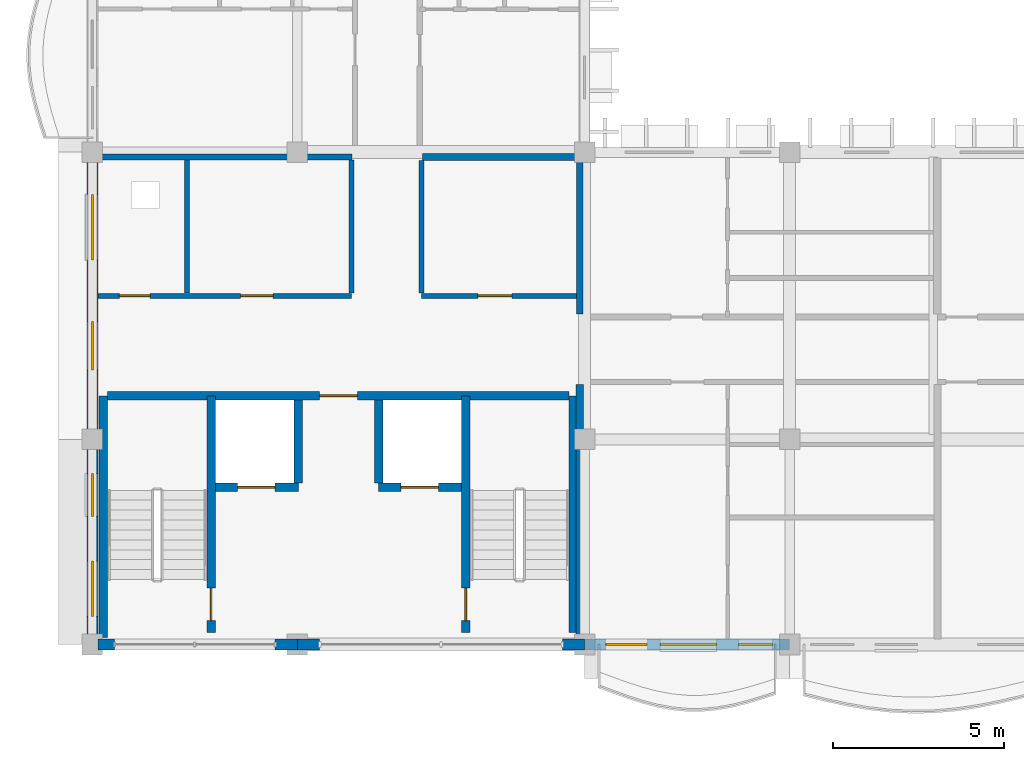
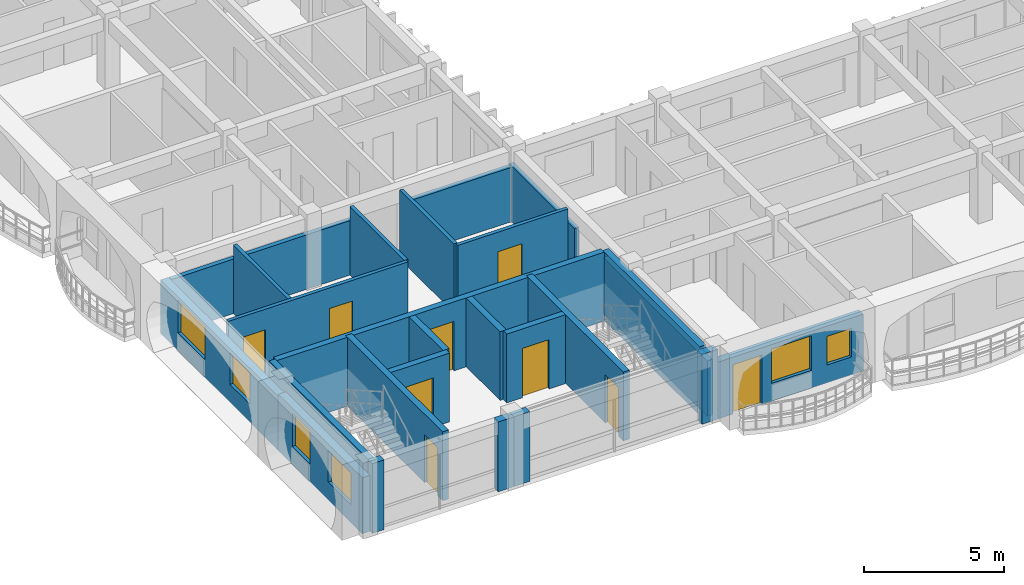
# One storey, part 14 of 70: 25 walls, 9 doors, 6 windows, 15 openings.
"""IFC4 building model written with IfcOpenShell, lengths in metres."""

from ifc_helpers import new_model, si_unit, direction, frame, frame_2d, origin, place, context, subcontext, project, spatial, rectangle, extrude, material, layer, layer_set, type_object, element, fill, save


model = new_model("IFC4")

# Units and contexts
model_context = context("Model", 3, precision=1e-05, world=origin(), true_north=direction((0.0, 1.0)))
body_context = subcontext(model_context, "Body", "Model", "MODEL_VIEW")
ifc_project = project(units=[si_unit("LENGTHUNIT", "METRE"), si_unit("AREAUNIT", "SQUARE_METRE"), si_unit("VOLUMEUNIT", "CUBIC_METRE"), si_unit("PLANEANGLEUNIT", "RADIAN"), si_unit("MASSUNIT", "GRAM", prefix="KILO"), si_unit("THERMODYNAMICTEMPERATUREUNIT", "KELVIN")], contexts=[model_context])

# Site, building, storey
site_placement = place(None, origin())
site = spatial("IfcSite", under=ifc_project, at=site_placement, CompositionType="ELEMENT")
building_placement = place(site_placement, origin())
building = spatial("IfcBuilding", under=site, at=building_placement, Name="Thalorik Housing Commons", CompositionType="ELEMENT")
storey_placement = place(building_placement, frame((0.0, 0.0, 14.699951171875)))
storey = spatial("IfcBuildingStorey", under=building, at=storey_placement, Name="L04", CompositionType="ELEMENT", Elevation=14.699951171875)

# Wall, opening, door
ifc_material_1 = material(Name="Concrete C40/50", Category="concrete")
ifc_layer_1 = layer(ifc_material_1, 0.25, Name="Concrete C40/50", Category="concrete")
ifc_layer_set_1 = layer_set([ifc_layer_1], Name="Concrete C40/50")
wall_type_1 = type_object("IfcWallType", Name="ARC-WAL-CORE-250", PredefinedType="SHEAR", material=ifc_layer_set_1)
wall_1_placement = place(storey_placement, frame((11.875, 8.75, 0.0), z_axis=(0.0, 0.0, 1.0), x_axis=(0.0, 1.0, 0.0)))
wall_1 = element("IfcWall", 1, at=wall_1_placement, inside=storey, type_object=wall_type_1, Name="L04 Core C Stair 1 Shear Wall", PredefinedType="SHEAR", context=body_context, shape_type="SweptSolid", body=[
    extrude(rectangle(XDim=6.925048828125, YDim=0.25, at=frame_2d((3.46240234375, 0.0))), origin(), (0.0, 0.0, 1.0), 3.0),
])
opening_1_placement = place(wall_1_placement, frame((0.35009765625, 0.0, 0.0)))
opening_1 = element("IfcOpeningElement", 2, at=opening_1_placement, cuts=wall_1, Name="Opening ID-0289", PredefinedType="OPENING", context=body_context, shape_type="SweptSolid", body=[
    extrude(rectangle(XDim=0.949951171875, YDim=2.10009765625, at=frame_2d((0.47509765625, 1.050048828125))), frame((0.0, 0.135009765625, 0.0), z_axis=(0.0, -1.0, 0.0), x_axis=(1.0, 0.0, 0.0)), (0.0, 0.0, 1.0), 0.27001953125),
])
ifc_material_2 = material(Name="Steel S355", Category="steel")
door_type_1 = type_object("IfcDoorType", Name="ARC-DR-FD60-950", OperationType="NOTDEFINED", PredefinedType="DOOR", material=ifc_material_2)
door_1_placement = place(opening_1_placement, origin())
door_1 = element("IfcDoor", 3, at=door_1_placement, inside=storey, type_object=door_type_1, Name="L04 Stair ST-C1 Fire Door", OperationType="SINGLE_SWING_RIGHT", OverallHeight=2.10009765625, OverallWidth=0.949951171875, PredefinedType="DOOR", context=body_context, shape_type="SweptSolid", body=[
    extrude(rectangle(XDim=0.949951171875, YDim=2.10009765625, at=frame_2d((0.47509765625, 1.050048828125))), frame((0.0, 0.02490234375, 0.0), z_axis=(0.0, -1.0, 0.0), x_axis=(1.0, 0.0, 0.0)), (0.0, 0.0, 1.0), 0.050048828125),
])
fill(opening_1, door_1)

# Walls
wall_2_placement = place(storey_placement, frame((8.72509765625, 8.60009765625, 0.0), z_axis=(0.0, 0.0, 1.0), x_axis=(0.0, 1.0, 0.0)))
element("IfcWall", 4, at=wall_2_placement, inside=storey, type_object=wall_type_1, Name="L04 Core C Stair 1 Outer Shear Wall", PredefinedType="SHEAR", context=body_context, shape_type="SweptSolid", body=[
    extrude(rectangle(XDim=7.074951171875, YDim=0.25, at=frame_2d((3.53759765625, 0.0))), origin(), (0.0, 0.0, 1.0), 3.0),
])
wall_3_placement = place(storey_placement, frame((22.47509765625, 8.75, 0.0), z_axis=(0.0, 0.0, 1.0), x_axis=(0.0, 1.0, 0.0)))
element("IfcWall", 5, at=wall_3_placement, inside=storey, type_object=wall_type_1, Name="L04 Core C Stair 2 Outer Shear Wall", PredefinedType="SHEAR", context=body_context, shape_type="SweptSolid", body=[
    extrude(rectangle(XDim=6.925048828125, YDim=0.25, at=frame_2d((3.46240234375, 0.0))), origin(), (0.0, 0.0, 1.0), 3.0),
])

# Wall, opening, door
wall_4_placement = place(storey_placement, frame((19.324951171875, 8.75, 0.0), z_axis=(0.0, 0.0, 1.0), x_axis=(0.0, 1.0, 0.0)))
wall_4 = element("IfcWall", 6, at=wall_4_placement, inside=storey, type_object=wall_type_1, Name="L04 Core C Stair 2 Shear Wall", PredefinedType="SHEAR", context=body_context, shape_type="SweptSolid", body=[
    extrude(rectangle(XDim=6.925048828125, YDim=0.25, at=frame_2d((3.46240234375, 0.0))), origin(), (0.0, 0.0, 1.0), 3.0),
])
opening_2_placement = place(wall_4_placement, frame((0.35009765625, 0.0, 0.0)))
opening_2 = element("IfcOpeningElement", 7, at=opening_2_placement, cuts=wall_4, Name="Opening ID-0290", PredefinedType="OPENING", context=body_context, shape_type="SweptSolid", body=[
    extrude(rectangle(XDim=0.949951171875, YDim=2.10009765625, at=frame_2d((0.47509765625, 1.050048828125))), frame((0.0, 0.135009765625, 0.0), z_axis=(0.0, -1.0, 0.0), x_axis=(1.0, 0.0, 0.0)), (0.0, 0.0, 1.0), 0.27001953125),
])
door_2_placement = place(opening_2_placement, origin())
door_2 = element("IfcDoor", 8, at=door_2_placement, inside=storey, type_object=door_type_1, Name="L04 Stair ST-C2 Fire Door", OperationType="SINGLE_SWING_LEFT", OverallHeight=2.10009765625, OverallWidth=0.949951171875, PredefinedType="DOOR", context=body_context, shape_type="SweptSolid", body=[
    extrude(rectangle(XDim=0.949951171875, YDim=2.10009765625, at=frame_2d((0.47509765625, 1.050048828125))), frame((0.0, 0.02490234375, 0.0), z_axis=(0.0, -1.0, 0.0), x_axis=(1.0, 0.0, 0.0)), (0.0, 0.0, 1.0), 0.050048828125),
])
fill(opening_2, door_2)

wall_5_placement = place(storey_placement, frame((12.0, 13.0, 0.0), z_axis=(0.0, 0.0, 1.0), x_axis=(1.0, 0.0, 0.0)))
wall_5 = element("IfcWall", 9, at=wall_5_placement, inside=storey, type_object=wall_type_1, Name="L04 Lift LF-C1 Front Shaft Wall", PredefinedType="SHEAR", context=body_context, shape_type="SweptSolid", body=[
    extrude(rectangle(XDim=2.425048828125, YDim=0.25, at=frame_2d((1.21240234375, 0.0))), origin(), (0.0, 0.0, 1.0), 3.0),
])
opening_3_placement = place(wall_5_placement, frame((0.64990234375, 0.0, 0.0)))
opening_3 = element("IfcOpeningElement", 10, at=opening_3_placement, cuts=wall_5, Name="Opening LD-LF-C1-L04", PredefinedType="OPENING", context=body_context, shape_type="SweptSolid", body=[
    extrude(rectangle(XDim=1.10009765625, YDim=2.14990234375, at=frame_2d((0.550048828125, 1.074951171875))), frame((0.0, 0.135009765625, 0.0), z_axis=(0.0, -1.0, 0.0), x_axis=(1.0, 0.0, 0.0)), (0.0, 0.0, 1.0), 0.27001953125),
])
door_type_2 = type_object("IfcDoorType", Name="ARC-DR-LIFT-1100", OperationType="NOTDEFINED", PredefinedType="DOOR", material=ifc_material_2)
door_3_placement = place(opening_3_placement, origin())
door_3 = element("IfcDoor", 11, at=door_3_placement, inside=storey, type_object=door_type_2, Name="L04 Lift LF-C1 Landing Door", OperationType="SLIDING_TO_LEFT", OverallHeight=2.14990234375, OverallWidth=1.10009765625, PredefinedType="DOOR", context=body_context, shape_type="SweptSolid", body=[
    extrude(rectangle(XDim=1.10009765625, YDim=2.14990234375, at=frame_2d((0.550048828125, 1.074951171875))), frame((0.0, 0.02490234375, 0.0), z_axis=(0.0, -1.0, 0.0), x_axis=(1.0, 0.0, 0.0)), (0.0, 0.0, 1.0), 0.050048828125),
])
fill(opening_3, door_3)

wall_6_placement = place(storey_placement, frame((16.77490234375, 13.0, 0.0), z_axis=(0.0, 0.0, 1.0), x_axis=(1.0, 0.0, 0.0)))
wall_6 = element("IfcWall", 12, at=wall_6_placement, inside=storey, type_object=wall_type_1, Name="L04 Lift LP-C2 Front Shaft Wall", PredefinedType="SHEAR", context=body_context, shape_type="SweptSolid", body=[
    extrude(rectangle(XDim=2.425048828125, YDim=0.25, at=frame_2d((1.21240234375, 0.0))), origin(), (0.0, 0.0, 1.0), 3.0),
])
opening_4_placement = place(wall_6_placement, frame((0.64990234375, 0.0, 0.0)))
opening_4 = element("IfcOpeningElement", 13, at=opening_4_placement, cuts=wall_6, Name="Opening LD-LP-C2-L04", PredefinedType="OPENING", context=body_context, shape_type="SweptSolid", body=[
    extrude(rectangle(XDim=1.10009765625, YDim=2.14990234375, at=frame_2d((0.550048828125, 1.074951171875))), frame((0.0, 0.135009765625, 0.0), z_axis=(0.0, -1.0, 0.0), x_axis=(1.0, 0.0, 0.0)), (0.0, 0.0, 1.0), 0.27001953125),
])
door_4_placement = place(opening_4_placement, origin())
door_4 = element("IfcDoor", 14, at=door_4_placement, inside=storey, type_object=door_type_2, Name="L04 Lift LP-C2 Landing Door", OperationType="SLIDING_TO_LEFT", OverallHeight=2.14990234375, OverallWidth=1.10009765625, PredefinedType="DOOR", context=body_context, shape_type="SweptSolid", body=[
    extrude(rectangle(XDim=1.10009765625, YDim=2.14990234375, at=frame_2d((0.550048828125, 1.074951171875))), frame((0.0, 0.02490234375, 0.0), z_axis=(0.0, -1.0, 0.0), x_axis=(1.0, 0.0, 0.0)), (0.0, 0.0, 1.0), 0.050048828125),
])
fill(opening_4, door_4)

# Walls
for number, where, z_axis, x_axis, name in (
    (15, (14.425048828125, 13.125, 0.0), (0.0, 0.0, 1.0), (0.0, 1.0, 0.0), "L04 Lift 1 Cheek Wall"),
    (16, (16.77490234375, 13.125, 0.0), (0.0, 0.0, 1.0), (0.0, 1.0, 0.0), "L04 Lift 2 Cheek Wall"),
):
    element("IfcWall", number, at=place(storey_placement, frame(where, z_axis=z_axis, x_axis=x_axis)), inside=storey, type_object=wall_type_1, Name=name, PredefinedType="SHEAR", context=body_context, shape_type="SweptSolid", body=[
        extrude(rectangle(XDim=2.425048828125, YDim=0.25, at=frame_2d((1.21240234375, 0.0))), origin(), (0.0, 0.0, 1.0), 3.0),
    ])

# Wall, opening, door
wall_7_placement = place(storey_placement, frame((8.85009765625, 15.675048828125, 0.0), z_axis=(0.0, 0.0, 1.0), x_axis=(1.0, 0.0, 0.0)))
wall_7 = element("IfcWall", 17, at=wall_7_placement, inside=storey, type_object=wall_type_1, Name="L04 Core C Spine Shear Wall", PredefinedType="SHEAR", context=body_context, shape_type="SweptSolid", body=[
    extrude(rectangle(XDim=13.5, YDim=0.25, at=frame_2d((6.75, 0.0))), origin(), (0.0, 0.0, 1.0), 3.0),
])
opening_5_placement = place(wall_7_placement, frame((6.199951171875, 0.0, 0.0)))
opening_5 = element("IfcOpeningElement", 18, at=opening_5_placement, cuts=wall_7, Name="Opening ID-0293", PredefinedType="OPENING", context=body_context, shape_type="SweptSolid", body=[
    extrude(rectangle(XDim=1.10009765625, YDim=2.14990234375, at=frame_2d((0.550048828125, 1.074951171875))), frame((0.0, 0.135009765625, 0.0), z_axis=(0.0, -1.0, 0.0), x_axis=(1.0, 0.0, 0.0)), (0.0, 0.0, 1.0), 0.27001953125),
])
door_type_3 = type_object("IfcDoorType", Name="ARC-DR-FD60-1100", OperationType="NOTDEFINED", PredefinedType="DOOR", material=ifc_material_2)
door_5_placement = place(opening_5_placement, origin())
door_5 = element("IfcDoor", 19, at=door_5_placement, inside=storey, type_object=door_type_3, Name="L04 Core C Lobby Fire Door", OperationType="SINGLE_SWING_RIGHT", OverallHeight=2.14990234375, OverallWidth=1.10009765625, PredefinedType="DOOR", context=body_context, shape_type="SweptSolid", body=[
    extrude(rectangle(XDim=1.10009765625, YDim=2.14990234375, at=frame_2d((0.550048828125, 1.074951171875))), frame((0.0, 0.02490234375, 0.0), z_axis=(0.0, -1.0, 0.0), x_axis=(1.0, 0.0, 0.0)), (0.0, 0.0, 1.0), 0.050048828125),
])
fill(opening_5, door_5)

# Wall, openings, windows
ifc_material_3 = material(Name="White precast concrete C40/50", Category="concrete")
ifc_layer_2 = layer(ifc_material_3, 0.320068359375, Name="White precast concrete C40/50", Category="concrete")
ifc_layer_set_2 = layer_set([ifc_layer_2], Name="White precast concrete C40/50")
wall_type_2 = type_object("IfcWallType", Name="ARC-WAL-EXT-320", PredefinedType="STANDARD", material=ifc_layer_set_2)
wall_8_placement = place(storey_placement, frame((8.39990234375, 22.800048828125, 0.0), z_axis=(0.0, 0.0, 1.0), x_axis=(0.0, -1.0, 0.0)))
wall_8 = element("IfcWall", 20, at=wall_8_placement, inside=storey, type_object=wall_type_2, Name="L04 Exterior Wall WAL-EXT-L04-C-0945", PredefinedType="STANDARD", context=body_context, shape_type="SweptSolid", body=[
    extrude(rectangle(XDim=8.400146484375, YDim=0.320068359375, at=frame_2d((4.2001953125, 0.0))), origin(), (0.0, 0.0, 1.0), 2.344970703125),
])
opening_6_placement = place(wall_8_placement, frame((1.235107421875, 0.0, 0.780029296875)))
opening_6 = element("IfcOpeningElement", 21, at=opening_6_placement, cuts=wall_8, Name="Opening W-60", PredefinedType="OPENING", context=body_context, shape_type="SweptSolid", body=[
    extrude(rectangle(XDim=1.919921875, YDim=1.43994140625, at=frame_2d((0.9599609375, 0.719970703125))), frame((0.0, 0.169921875, 0.0), z_axis=(0.0, -1.0, 0.0), x_axis=(1.0, 0.0, 0.0)), (0.0, 0.0, 1.0), 0.340087890625),
])
opening_7_placement = place(wall_8_placement, frame((4.952392578125, 0.0, 0.780029296875)))
opening_7 = element("IfcOpeningElement", 22, at=opening_7_placement, cuts=wall_8, Name="Opening W-50", PredefinedType="OPENING", context=body_context, shape_type="SweptSolid", body=[
    extrude(rectangle(XDim=1.419921875, YDim=1.3798828125, at=frame_2d((0.7099609375, 0.68994140625))), frame((0.0, 0.169921875, 0.0), z_axis=(0.0, -1.0, 0.0), x_axis=(1.0, 0.0, 0.0)), (0.0, 0.0, 1.0), 0.340087890625),
])
ifc_material_4 = material(Name="Anodised aluminium and solar-control low-E glass", Category="aluminium")
window_type_1 = type_object("IfcWindowType", Name="ARC-WIN-50", PartitioningType="SINGLE_PANEL", PredefinedType="WINDOW", material=ifc_material_4)
window_1_placement = place(opening_7_placement, origin())
window_1 = element("IfcWindow", 23, at=window_1_placement, inside=storey, type_object=window_type_1, Name="L04 Facade Window 1748", OverallHeight=1.3798828125, OverallWidth=1.419921875, PartitioningType="SINGLE_PANEL", PredefinedType="WINDOW", context=body_context, shape_type="SweptSolid", body=[
    extrude(rectangle(XDim=1.419921875, YDim=1.3798828125, at=frame_2d((0.7099609375, 0.68994140625))), frame((0.0, 0.030029296875, 0.0), z_axis=(0.0, -1.0, 0.0), x_axis=(1.0, 0.0, 0.0)), (0.0, 0.0, 1.0), 0.06005859375),
])
fill(opening_7, window_1)
window_type_2 = type_object("IfcWindowType", Name="ARC-WIN-60", PartitioningType="DOUBLE_PANEL_VERTICAL", PredefinedType="WINDOW", material=ifc_material_4)
window_2_placement = place(opening_6_placement, origin())
window_2 = element("IfcWindow", 24, at=window_2_placement, inside=storey, type_object=window_type_2, Name="L04 Facade Window 1747", OverallHeight=1.43994140625, OverallWidth=1.919921875, PartitioningType="DOUBLE_PANEL_VERTICAL", PredefinedType="WINDOW", context=body_context, shape_type="SweptSolid", body=[
    extrude(rectangle(XDim=1.919921875, YDim=1.43994140625, at=frame_2d((0.9599609375, 0.719970703125))), frame((0.0, 0.030029296875, 0.0), z_axis=(0.0, -1.0, 0.0), x_axis=(1.0, 0.0, 0.0)), (0.0, 0.0, 1.0), 0.06005859375),
])
fill(opening_6, window_2)

wall_9_placement = place(storey_placement, frame((8.39990234375, 14.39990234375, 0.0), z_axis=(0.0, 0.0, 1.0), x_axis=(0.0, -1.0, 0.0)))
wall_9 = element("IfcWall", 25, at=wall_9_placement, inside=storey, type_object=wall_type_2, Name="L04 Exterior Wall WAL-EXT-L04-C-0946", PredefinedType="STANDARD", context=body_context, shape_type="SweptSolid", body=[
    extrude(rectangle(XDim=6.0, YDim=0.320068359375, at=frame_2d((3.0, 0.0))), origin(), (0.0, 0.0, 1.0), 2.445068359375),
])
opening_8_placement = place(wall_9_placement, frame((1.0048828125, 0.0, 0.780029296875)))
opening_8 = element("IfcOpeningElement", 26, at=opening_8_placement, cuts=wall_9, Name="Opening W-47", PredefinedType="OPENING", context=body_context, shape_type="SweptSolid", body=[
    extrude(rectangle(XDim=1.25, YDim=1.449951171875, at=frame_2d((0.625, 0.72509765625))), frame((0.0, 0.169921875, 0.0), z_axis=(0.0, -1.0, 0.0), x_axis=(1.0, 0.0, 0.0)), (0.0, 0.0, 1.0), 0.340087890625),
])
opening_9_placement = place(wall_9_placement, frame((3.56005859375, 0.0, 0.780029296875)))
opening_9 = element("IfcOpeningElement", 27, at=opening_9_placement, cuts=wall_9, Name="Opening W-54", PredefinedType="OPENING", context=body_context, shape_type="SweptSolid", body=[
    extrude(rectangle(XDim=1.6201171875, YDim=1.3798828125, at=frame_2d((0.81005859375, 0.68994140625))), frame((0.0, 0.169921875, 0.0), z_axis=(0.0, -1.0, 0.0), x_axis=(1.0, 0.0, 0.0)), (0.0, 0.0, 1.0), 0.340087890625),
])
window_type_3 = type_object("IfcWindowType", Name="ARC-WIN-47", PartitioningType="SINGLE_PANEL", PredefinedType="WINDOW", material=ifc_material_4)
window_3_placement = place(opening_8_placement, origin())
window_3 = element("IfcWindow", 28, at=window_3_placement, inside=storey, type_object=window_type_3, Name="L04 Facade Window 1749", OverallHeight=1.449951171875, OverallWidth=1.25, PartitioningType="SINGLE_PANEL", PredefinedType="WINDOW", context=body_context, shape_type="SweptSolid", body=[
    extrude(rectangle(XDim=1.25, YDim=1.449951171875, at=frame_2d((0.625, 0.72509765625))), frame((0.0, 0.030029296875, 0.0), z_axis=(0.0, -1.0, 0.0), x_axis=(1.0, 0.0, 0.0)), (0.0, 0.0, 1.0), 0.06005859375),
])
fill(opening_8, window_3)
window_type_4 = type_object("IfcWindowType", Name="ARC-WIN-54", PartitioningType="DOUBLE_PANEL_VERTICAL", PredefinedType="WINDOW", material=ifc_material_4)
window_4_placement = place(opening_9_placement, origin())
window_4 = element("IfcWindow", 29, at=window_4_placement, inside=storey, type_object=window_type_4, Name="L04 Facade Window 1750", OverallHeight=1.3798828125, OverallWidth=1.6201171875, PartitioningType="DOUBLE_PANEL_VERTICAL", PredefinedType="WINDOW", context=body_context, shape_type="SweptSolid", body=[
    extrude(rectangle(XDim=1.6201171875, YDim=1.3798828125, at=frame_2d((0.81005859375, 0.68994140625))), frame((0.0, 0.030029296875, 0.0), z_axis=(0.0, -1.0, 0.0), x_axis=(1.0, 0.0, 0.0)), (0.0, 0.0, 1.0), 0.06005859375),
])
fill(opening_9, window_4)

# Walls
wall_10_placement = place(storey_placement, frame((8.56201171875, 8.39990234375, 0.0), z_axis=(0.0, 0.0, 1.0), x_axis=(1.0, 0.0, 0.0)))
element("IfcWall", 30, at=wall_10_placement, inside=storey, type_object=wall_type_2, Name="L04 Exterior Wall WAL-PIERL-L04-C-0947", PredefinedType="STANDARD", context=body_context, shape_type="SweptSolid", body=[
    extrude(rectangle(XDim=0.488037109375, YDim=0.320068359375, at=frame_2d((0.244140625, 0.0))), origin(), (0.0, 0.0, 1.0), 3.0400390625),
])
wall_11_placement = place(storey_placement, frame((13.75, 8.39990234375, 0.0), z_axis=(0.0, 0.0, 1.0), x_axis=(1.0, 0.0, 0.0)))
element("IfcWall", 31, at=wall_11_placement, inside=storey, type_object=wall_type_2, Name="L04 Exterior Wall WAL-PIERR-L04-C-0947", PredefinedType="STANDARD", context=body_context, shape_type="SweptSolid", body=[
    extrude(rectangle(XDim=0.64990234375, YDim=0.320068359375, at=frame_2d((0.324951171875, 0.0))), origin(), (0.0, 0.0, 1.0), 3.0400390625),
])
for number, where, z_axis, x_axis, name in (
    (32, (14.39990234375, 8.39990234375, 0.0), (0.0, 0.0, 1.0), (1.0, 0.0, 0.0), "L04 Exterior Wall WAL-PIERL-L04-C-0948"),
    (33, (22.14990234375, 8.39990234375, 0.0), (0.0, 0.0, 1.0), (1.0, 0.0, 0.0), "L04 Exterior Wall WAL-PIERR-L04-C-0948"),
):
    element("IfcWall", number, at=place(storey_placement, frame(where, z_axis=z_axis, x_axis=x_axis)), inside=storey, type_object=wall_type_2, Name=name, PredefinedType="STANDARD", context=body_context, shape_type="SweptSolid", body=[
        extrude(rectangle(XDim=0.650146484375, YDim=0.320068359375, at=frame_2d((0.3251953125, 0.0))), origin(), (0.0, 0.0, 1.0), 3.0400390625),
    ])

# Wall, openings, door, windows
wall_12_placement = place(storey_placement, frame((22.800048828125, 8.39990234375, 0.0), z_axis=(0.0, 0.0, 1.0), x_axis=(1.0, 0.0, 0.0)))
wall_12 = element("IfcWall", 34, at=wall_12_placement, inside=storey, type_object=wall_type_2, Name="L04 Exterior Wall WAL-EXT-L04-C-0949", PredefinedType="STANDARD", context=body_context, shape_type="SweptSolid", body=[
    extrude(rectangle(XDim=6.0, YDim=0.320068359375, at=frame_2d((3.0, 0.0))), origin(), (0.0, 0.0, 1.0), 2.47509765625),
])
opening_10_placement = place(wall_12_placement, frame((0.6201171875, 0.0, 0.0)))
opening_10 = element("IfcOpeningElement", 35, at=opening_10_placement, cuts=wall_12, Name="Opening ED-0313", PredefinedType="OPENING", context=body_context, shape_type="SweptSolid", body=[
    extrude(rectangle(XDim=1.199951171875, YDim=2.14990234375, at=frame_2d((0.60009765625, 1.074951171875))), frame((0.0, 0.169921875, 0.0), z_axis=(0.0, -1.0, 0.0), x_axis=(1.0, 0.0, 0.0)), (0.0, 0.0, 1.0), 0.340087890625),
])
opening_11_placement = place(wall_12_placement, frame((2.205078125, 0.0, 0.780029296875)))
opening_11 = element("IfcOpeningElement", 36, at=opening_11_placement, cuts=wall_12, Name="Opening W-15", PredefinedType="OPENING", context=body_context, shape_type="SweptSolid", body=[
    extrude(rectangle(XDim=1.64990234375, YDim=1.5, at=frame_2d((0.824951171875, 0.75))), frame((0.0, 0.169921875, 0.0), z_axis=(0.0, -1.0, 0.0), x_axis=(1.0, 0.0, 0.0)), (0.0, 0.0, 1.0), 0.340087890625),
])
opening_12_placement = place(wall_12_placement, frame((4.5, 0.0, 0.780029296875)))
opening_12 = element("IfcOpeningElement", 37, at=opening_12_placement, cuts=wall_12, Name="Opening W-02", PredefinedType="OPENING", context=body_context, shape_type="SweptSolid", body=[
    extrude(rectangle(XDim=1.0, YDim=1.25, at=frame_2d((0.5, 0.625))), frame((0.0, 0.169921875, 0.0), z_axis=(0.0, -1.0, 0.0), x_axis=(1.0, 0.0, 0.0)), (0.0, 0.0, 1.0), 0.340087890625),
])
ifc_material_5 = material(Name="Anodised aluminium and laminated safety glass", Category="aluminium")
door_type_4 = type_object("IfcDoorType", Name="ARC-DR-BAL-1200", OperationType="NOTDEFINED", PredefinedType="DOOR", material=ifc_material_5)
door_6_placement = place(opening_10_placement, frame((1.199951171875, 0.0, 0.0), z_axis=(0.0, 0.0, 1.0), x_axis=(-1.0, 0.0, 0.0)))
door_6 = element("IfcDoor", 38, at=door_6_placement, inside=storey, type_object=door_type_4, Name="L04 Block C Balcony Glazed Door", OperationType="SINGLE_SWING_RIGHT", OverallHeight=2.14990234375, OverallWidth=1.199951171875, PredefinedType="DOOR", context=body_context, shape_type="SweptSolid", body=[
    extrude(rectangle(XDim=1.199951171875, YDim=2.14990234375, at=frame_2d((0.60009765625, 1.074951171875))), frame((0.0, 0.02490234375, 0.0), z_axis=(0.0, -1.0, 0.0), x_axis=(1.0, 0.0, 0.0)), (0.0, 0.0, 1.0), 0.050048828125),
])
fill(opening_10, door_6)
window_type_5 = type_object("IfcWindowType", Name="ARC-WIN-02", PartitioningType="SINGLE_PANEL", PredefinedType="WINDOW", material=ifc_material_4)
window_5_placement = place(opening_12_placement, origin())
window_5 = element("IfcWindow", 39, at=window_5_placement, inside=storey, type_object=window_type_5, Name="L04 Facade Window 1752", OverallHeight=1.25, OverallWidth=1.0, PartitioningType="SINGLE_PANEL", PredefinedType="WINDOW", context=body_context, shape_type="SweptSolid", body=[
    extrude(rectangle(XDim=1.0, YDim=1.25, at=frame_2d((0.5, 0.625))), frame((0.0, 0.030029296875, 0.0), z_axis=(0.0, -1.0, 0.0), x_axis=(1.0, 0.0, 0.0)), (0.0, 0.0, 1.0), 0.06005859375),
])
fill(opening_12, window_5)
window_type_6 = type_object("IfcWindowType", Name="ARC-WIN-15", PartitioningType="DOUBLE_PANEL_VERTICAL", PredefinedType="WINDOW", material=ifc_material_4)
window_6_placement = place(opening_11_placement, origin())
window_6 = element("IfcWindow", 40, at=window_6_placement, inside=storey, type_object=window_type_6, Name="L04 Facade Window 1751", OverallHeight=1.5, OverallWidth=1.64990234375, PartitioningType="DOUBLE_PANEL_VERTICAL", PredefinedType="WINDOW", context=body_context, shape_type="SweptSolid", body=[
    extrude(rectangle(XDim=1.64990234375, YDim=1.5, at=frame_2d((0.824951171875, 0.75))), frame((0.0, 0.030029296875, 0.0), z_axis=(0.0, -1.0, 0.0), x_axis=(1.0, 0.0, 0.0)), (0.0, 0.0, 1.0), 0.06005859375),
])
fill(opening_11, window_6)

# Walls
ifc_material_6 = material(Name="Ceramic masonry partition wall", Category="masonry")
ifc_layer_3 = layer(ifc_material_6, 0.14794921875, Name="Ceramic masonry partition wall", Category="masonry")
ifc_layer_set_3 = layer_set([ifc_layer_3], Name="Ceramic masonry partition wall")
wall_type_3 = type_object("IfcWallType", Name="ARC-WAL-PART-150", PredefinedType="PARTITIONING", material=ifc_layer_set_3)
for number, where, z_axis, x_axis, name in (
    (41, (11.175048828125, 18.676025390625, 0.0), (0.0, 0.0, 1.0), (0.0, 1.0, 0.0), "Riser Wall"),
    (42, (15.97509765625, 18.676025390625, 0.0), (0.0, 0.0, 1.0), (0.0, 1.0, 0.0), "Core Stem West Cheek Wall"),
):
    element("IfcWall", number, at=place(storey_placement, frame(where, z_axis=z_axis, x_axis=x_axis)), inside=storey, type_object=wall_type_3, Name=name, PredefinedType="PARTITIONING", context=body_context, shape_type="SweptSolid", body=[
        extrude(rectangle(XDim=3.889404296875, YDim=0.14794921875, at=frame_2d((1.94482421875, 0.0))), origin(), (0.0, 0.0, 1.0), 3.0),
    ])
wall_13_placement = place(storey_placement, frame((18.02490234375, 18.676025390625, 0.0), z_axis=(0.0, 0.0, 1.0), x_axis=(0.0, 1.0, 0.0)))
element("IfcWall", 43, at=wall_13_placement, inside=storey, type_object=wall_type_3, Name="Core Stem East Cheek Wall", PredefinedType="PARTITIONING", context=body_context, shape_type="SweptSolid", body=[
    extrude(rectangle(XDim=3.882080078125, YDim=0.14794921875, at=frame_2d((1.94091796875, 0.0))), origin(), (0.0, 0.0, 1.0), 3.0),
])

# Wall, openings, doors
wall_14_placement = place(storey_placement, frame((8.56201171875, 18.60009765625, 0.0), z_axis=(0.0, 0.0, 1.0), x_axis=(1.0, 0.0, 0.0)))
wall_14 = element("IfcWall", 44, at=wall_14_placement, inside=storey, type_object=wall_type_3, Name="L04 Core C West Corridor Partition", PredefinedType="PARTITIONING", context=body_context, shape_type="SweptSolid", body=[
    extrude(rectangle(XDim=7.4130859375, YDim=0.14794921875, at=frame_2d((3.70654296875, 0.0))), origin(), (0.0, 0.0, 1.0), 3.0),
])
opening_13_placement = place(wall_14_placement, frame((0.6279296875, 0.0, 0.0)))
opening_13 = element("IfcOpeningElement", 45, at=opening_13_placement, cuts=wall_14, Name="Opening ID-0294", PredefinedType="OPENING", context=body_context, shape_type="SweptSolid", body=[
    extrude(rectangle(XDim=0.89990234375, YDim=2.10009765625, at=frame_2d((0.449951171875, 1.050048828125))), frame((0.0, 0.083984375, 0.0), z_axis=(0.0, -1.0, 0.0), x_axis=(1.0, 0.0, 0.0)), (0.0, 0.0, 1.0), 0.16796875),
])
opening_14_placement = place(wall_14_placement, frame((4.177978515625, 0.0, 0.0)))
opening_14 = element("IfcOpeningElement", 46, at=opening_14_placement, cuts=wall_14, Name="Opening ID-0295", PredefinedType="OPENING", context=body_context, shape_type="SweptSolid", body=[
    extrude(rectangle(XDim=0.949951171875, YDim=2.10009765625, at=frame_2d((0.47509765625, 1.050048828125))), frame((0.0, 0.083984375, 0.0), z_axis=(0.0, -1.0, 0.0), x_axis=(1.0, 0.0, 0.0)), (0.0, 0.0, 1.0), 0.16796875),
])
door_type_5 = type_object("IfcDoorType", Name="ARC-DR-FD60-900", OperationType="NOTDEFINED", PredefinedType="DOOR", material=ifc_material_2)
door_7_placement = place(opening_13_placement, origin())
door_7 = element("IfcDoor", 47, at=door_7_placement, inside=storey, type_object=door_type_5, Name="Electrical Riser Door", OperationType="SINGLE_SWING_LEFT", OverallHeight=2.10009765625, OverallWidth=0.89990234375, PredefinedType="DOOR", context=body_context, shape_type="SweptSolid", body=[
    extrude(rectangle(XDim=0.89990234375, YDim=2.10009765625, at=frame_2d((0.449951171875, 1.050048828125))), frame((0.0, 0.02490234375, 0.0), z_axis=(0.0, -1.0, 0.0), x_axis=(1.0, 0.0, 0.0)), (0.0, 0.0, 1.0), 0.050048828125),
])
fill(opening_13, door_7)
ifc_material_7 = material(Name="Engineered oak timber", Category="wood")
door_type_6 = type_object("IfcDoorType", Name="ARC-DR-INT-950", OperationType="NOTDEFINED", PredefinedType="DOOR", material=ifc_material_7)
door_8_placement = place(opening_14_placement, origin())
door_8 = element("IfcDoor", 48, at=door_8_placement, inside=storey, type_object=door_type_6, Name="Accessible Bathroom Door", OperationType="SINGLE_SWING_RIGHT", OverallHeight=2.10009765625, OverallWidth=0.949951171875, PredefinedType="DOOR", context=body_context, shape_type="SweptSolid", body=[
    extrude(rectangle(XDim=0.949951171875, YDim=2.10009765625, at=frame_2d((0.47509765625, 1.050048828125))), frame((0.0, 0.02490234375, 0.0), z_axis=(0.0, -1.0, 0.0), x_axis=(1.0, 0.0, 0.0)), (0.0, 0.0, 1.0), 0.050048828125),
])
fill(opening_14, door_8)

# Wall, opening, door
wall_15_placement = place(storey_placement, frame((18.02490234375, 18.60009765625, 0.0), z_axis=(0.0, 0.0, 1.0), x_axis=(1.0, 0.0, 0.0)))
wall_15 = element("IfcWall", 49, at=wall_15_placement, inside=storey, type_object=wall_type_3, Name="L04 Core C East Corridor Partition", PredefinedType="PARTITIONING", context=body_context, shape_type="SweptSolid", body=[
    extrude(rectangle(XDim=4.54052734375, YDim=0.14794921875, at=frame_2d((2.270263671875, 0.0))), origin(), (0.0, 0.0, 1.0), 3.0),
])
opening_15_placement = place(wall_15_placement, frame((1.64990234375, 0.0, 0.0)))
opening_15 = element("IfcOpeningElement", 50, at=opening_15_placement, cuts=wall_15, Name="Opening ID-0296", PredefinedType="OPENING", context=body_context, shape_type="SweptSolid", body=[
    extrude(rectangle(XDim=1.0, YDim=2.14990234375, at=frame_2d((0.5, 1.074951171875))), frame((0.0, 0.083984375, 0.0), z_axis=(0.0, -1.0, 0.0), x_axis=(1.0, 0.0, 0.0)), (0.0, 0.0, 1.0), 0.16796875),
])
door_type_7 = type_object("IfcDoorType", Name="ARC-DR-FD60-1000", OperationType="NOTDEFINED", PredefinedType="DOOR", material=ifc_material_2)
door_9_placement = place(opening_15_placement, origin())
door_9 = element("IfcDoor", 51, at=door_9_placement, inside=storey, type_object=door_type_7, Name="Core Hub Room Door", OperationType="SINGLE_SWING_LEFT", OverallHeight=2.14990234375, OverallWidth=1.0, PredefinedType="DOOR", context=body_context, shape_type="SweptSolid", body=[
    extrude(rectangle(XDim=1.0, YDim=2.14990234375, at=frame_2d((0.5, 1.074951171875))), frame((0.0, 0.02490234375, 0.0), z_axis=(0.0, -1.0, 0.0), x_axis=(1.0, 0.0, 0.0)), (0.0, 0.0, 1.0), 0.050048828125),
])
fill(opening_15, door_9)

# Walls
ifc_material_8 = material(Name="Masonry acoustic blockwork wall", Category="masonry")
ifc_layer_4 = layer(ifc_material_8, 0.18505859375, Name="Masonry acoustic blockwork wall", Category="masonry")
ifc_layer_set_4 = layer_set([ifc_layer_4], Name="Masonry acoustic blockwork wall")
wall_type_4 = type_object("IfcWallType", Name="ARC-WAL-PARTY-185", PredefinedType="PARTITIONING", material=ifc_layer_set_4)
wall_16_placement = place(storey_placement, frame((8.56201171875, 22.659912109375, 0.0), z_axis=(0.0, 0.0, 1.0), x_axis=(1.0, 0.0, 0.0)))
element("IfcWall", 52, at=wall_16_placement, inside=storey, type_object=wall_type_4, Name="L04 Inter-Tenancy Wall 0A", PredefinedType="PARTITIONING", context=body_context, shape_type="SweptSolid", body=[
    extrude(rectangle(XDim=7.44091796875, YDim=0.18505859375, at=frame_2d((3.720458984375, 0.0))), origin(), (0.0, 0.0, 1.0), 2.375),
])
wall_17_placement = place(storey_placement, frame((22.659912109375, 18.064453125, 0.0), z_axis=(0.0, 0.0, 1.0), x_axis=(0.0, 1.0, 0.0)))
element("IfcWall", 53, at=wall_17_placement, inside=storey, type_object=wall_type_4, Name="L04 Inter-Tenancy Wall 0B", PredefinedType="PARTITIONING", context=body_context, shape_type="SweptSolid", body=[
    extrude(rectangle(XDim=4.675537109375, YDim=0.18505859375, at=frame_2d((2.337890625, 0.0))), origin(), (0.0, 0.0, 1.0), 2.425048828125),
])
ifc_material_9 = material(Name="Precast concrete C40/50 acoustic wall", Category="concrete")
ifc_layer_5 = layer(ifc_material_9, 0.199951171875, Name="Precast concrete C40/50 acoustic wall", Category="concrete")
ifc_layer_set_5 = layer_set([ifc_layer_5], Name="Precast concrete C40/50 acoustic wall")
wall_type_5 = type_object("IfcWallType", Name="ARC-WAL-PARTY-200", PredefinedType="PARTITIONING", material=ifc_layer_set_5)
wall_18_placement = place(storey_placement, frame((18.064453125, 22.659912109375, 0.0), z_axis=(0.0, 0.0, 1.0), x_axis=(1.0, 0.0, 0.0)))
element("IfcWall", 54, at=wall_18_placement, inside=storey, type_object=wall_type_5, Name="L04 Inter-Tenancy Wall 0B", PredefinedType="PARTITIONING", context=body_context, shape_type="SweptSolid", body=[
    extrude(rectangle(XDim=4.5009765625, YDim=0.199951171875, at=frame_2d((2.25048828125, 0.0))), origin(), (0.0, 0.0, 1.0), 2.375),
])
ifc_layer_6 = layer(ifc_material_9, 0.219970703125, Name="Precast concrete C40/50 acoustic wall", Category="concrete")
ifc_layer_set_6 = layer_set([ifc_layer_6], Name="Precast concrete C40/50 acoustic wall")
wall_type_6 = type_object("IfcWallType", Name="ARC-WAL-PARTY-220", PredefinedType="PARTITIONING", material=ifc_layer_set_6)
wall_19_placement = place(storey_placement, frame((22.659912109375, 8.56201171875, 0.0), z_axis=(0.0, 0.0, 1.0), x_axis=(0.0, 1.0, 0.0)))
element("IfcWall", 55, at=wall_19_placement, inside=storey, type_object=wall_type_6, Name="L04 Inter-Tenancy Wall 0A", PredefinedType="PARTITIONING", context=body_context, shape_type="SweptSolid", body=[
    extrude(rectangle(XDim=7.44091796875, YDim=0.219970703125, at=frame_2d((3.720458984375, 0.0))), origin(), (0.0, 0.0, 1.0), 2.425048828125),
])

save(model, "model.ifc")
